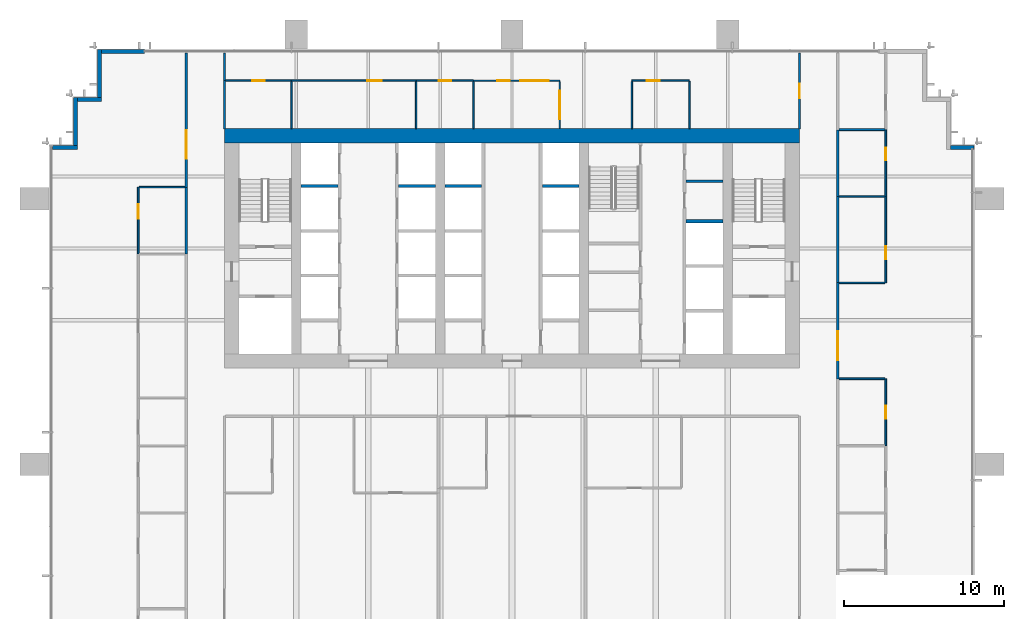
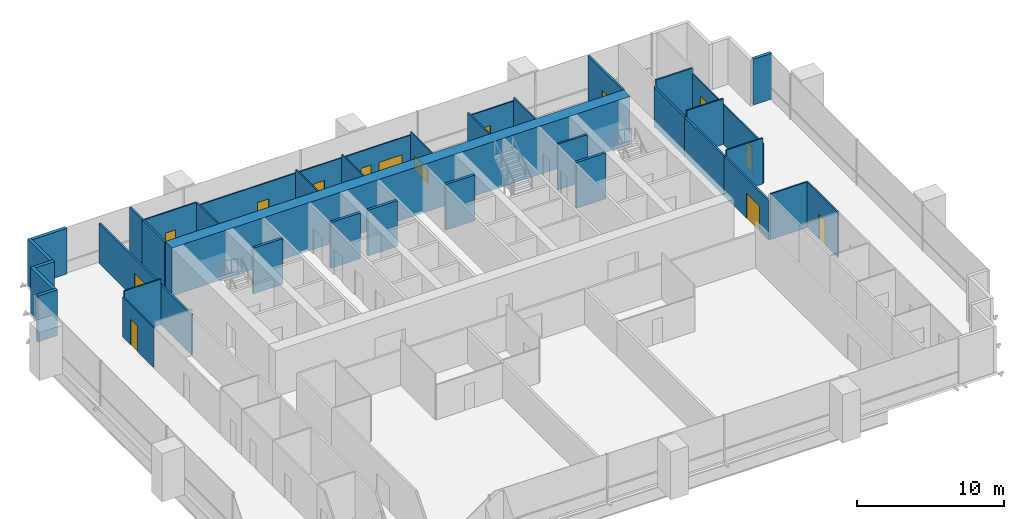
# One storey, part 13 of 15: 41 walls, 12 doors, 2 windows, 14 openings.
"""IFC4 building model written with IfcOpenShell, lengths in metres."""

from ifc_helpers import new_model, si_unit, direction, frame, frame_2d, origin, place, context, subcontext, project, spatial, rectangle, extrude, material, layer, layer_set, type_object, element, fill, save


model = new_model("IFC4")

# Units and contexts
model_context = context("Model", 3, precision=1e-05, world=origin(), true_north=direction((0.0, 1.0)))
body_context = subcontext(model_context, "Body", "Model", "MODEL_VIEW")
ifc_project = project(units=[si_unit("LENGTHUNIT", "METRE"), si_unit("AREAUNIT", "SQUARE_METRE"), si_unit("VOLUMEUNIT", "CUBIC_METRE"), si_unit("PLANEANGLEUNIT", "RADIAN"), si_unit("MASSUNIT", "GRAM", prefix="KILO")], contexts=[model_context])

# Site, building, storey
site_placement = place(None, origin())
site = spatial("IfcSite", under=ifc_project, at=site_placement, CompositionType="ELEMENT")
building_placement = place(site_placement, origin())
building = spatial("IfcBuilding", under=site, at=building_placement, Name="Rattan Terrace Tower", CompositionType="ELEMENT")
storey_placement = place(building_placement, frame((0.0, 0.0, 142.10009765625)))
storey = spatial("IfcBuildingStorey", under=building, at=storey_placement, Name="L32", CompositionType="ELEMENT", Elevation=142.10009765625)

# Walls
ifc_material_1 = material(Name="Gypsum board partition")
ifc_layer_1 = layer(ifc_material_1, 0.14990234375)
ifc_layer_set_1 = layer_set([ifc_layer_1], Name="Core partition 150")
wall_type_1 = type_object("IfcWallType", Name="Core partition 150", PredefinedType="PARTITIONING", material=ifc_layer_set_1)
wall_1_placement = place(storey_placement, frame((10.89990234375, 4.199951171875, 0.0), z_axis=(0.0, 0.0, 1.0), x_axis=(1.0, 0.0, 0.0)))
element("IfcWall", 1, at=wall_1_placement, inside=storey, type_object=wall_type_1, Name="Riser room wall", PredefinedType="PARTITIONING", context=body_context, shape_type="SweptSolid", body=[
    extrude(rectangle(XDim=2.300048828125, YDim=0.14990234375, at=frame_2d((1.14990234375, 0.0))), origin(), (0.0, 0.0, 1.0), 3.7998046875),
])
ifc_material_2 = material(Name="Concrete C60/75", Category="concrete")
ifc_layer_2 = layer(ifc_material_2, 0.89990234375)
ifc_layer_set_2 = layer_set([ifc_layer_2], Name="Core ring wall 900 C60/75")
wall_type_2 = type_object("IfcWallType", Name="Core ring wall 900 C60/75", PredefinedType="SHEAR", material=ifc_layer_set_2)
wall_2_placement = place(storey_placement, frame((-18.0, 7.050048828125, -0.2001953125), z_axis=(0.0, 0.0, 1.0), x_axis=(1.0, 0.0, 0.0)))
element("IfcWall", 2, at=wall_2_placement, inside=storey, type_object=wall_type_2, Name="Rear core wall north", PredefinedType="SHEAR", context=body_context, shape_type="SweptSolid", body=[
    extrude(rectangle(XDim=36.0, YDim=0.89990234375, at=frame_2d((18.0, 0.0))), origin(), (0.0, 0.0, 1.0), 4.0),
])
ifc_material_3 = material(Name="Insulated aluminium-clad stud wall", Category="aluminium")
ifc_layer_3 = layer(ifc_material_3, 0.25)
ifc_layer_set_3 = layer_set([ifc_layer_3], Name="Facade Riser Wall 250")
wall_type_3 = type_object("IfcWallType", Name="Facade Riser Wall 250", PredefinedType="SOLIDWALL", material=ifc_layer_set_3)
wall_3_placement = place(storey_placement, frame((28.909912109375, 6.330078125, 0.0), z_axis=(0.0, 0.0, 1.0), x_axis=(-1.0, 0.0, 0.0)))
element("IfcWall", 3, at=wall_3_placement, inside=storey, type_object=wall_type_3, Name="Riser wall L32-6", PredefinedType="SOLIDWALL", context=body_context, shape_type="SweptSolid", body=[
    extrude(rectangle(XDim=1.454833984375, YDim=0.25, at=frame_2d((0.7275390625, 0.0))), origin(), (0.0, 0.0, 1.0), 3.7998046875),
])
wall_4_placement = place(storey_placement, frame((-23.0, 12.330078125, 0.0), z_axis=(0.0, 0.0, 1.0), x_axis=(-1.0, 0.0, 0.0)))
element("IfcWall", 4, at=wall_4_placement, inside=storey, type_object=wall_type_3, Name="Riser wall L32-11", PredefinedType="SOLIDWALL", context=body_context, shape_type="SweptSolid", body=[
    extrude(rectangle(XDim=2.705078125, YDim=0.25, at=frame_2d((1.3525390625, 0.0))), origin(), (0.0, 0.0, 1.0), 3.7998046875),
])
wall_5_placement = place(storey_placement, frame((-25.830078125, 12.455078125, 0.0), z_axis=(0.0, 0.0, 1.0), x_axis=(0.0, -1.0, 0.0)))
element("IfcWall", 5, at=wall_5_placement, inside=storey, type_object=wall_type_3, Name="Riser wall L32-12", PredefinedType="SOLIDWALL", context=body_context, shape_type="SweptSolid", body=[
    extrude(rectangle(XDim=3.0, YDim=0.25, at=frame_2d((1.5, 0.0))), origin(), (0.0, 0.0, 1.0), 3.7998046875),
])
wall_6_placement = place(storey_placement, frame((-25.705078125, 9.330078125, 0.0), z_axis=(0.0, 0.0, 1.0), x_axis=(-1.0, 0.0, 0.0)))
element("IfcWall", 6, at=wall_6_placement, inside=storey, type_object=wall_type_3, Name="Riser wall L32-13", PredefinedType="SOLIDWALL", context=body_context, shape_type="SweptSolid", body=[
    extrude(rectangle(XDim=1.5, YDim=0.25, at=frame_2d((0.75, 0.0))), origin(), (0.0, 0.0, 1.0), 3.7998046875),
])
wall_7_placement = place(storey_placement, frame((-27.330078125, 9.455078125, 0.0), z_axis=(0.0, 0.0, 1.0), x_axis=(0.0, -1.0, 0.0)))
element("IfcWall", 7, at=wall_7_placement, inside=storey, type_object=wall_type_3, Name="Riser wall L32-14", PredefinedType="SOLIDWALL", context=body_context, shape_type="SweptSolid", body=[
    extrude(rectangle(XDim=3.0, YDim=0.25, at=frame_2d((1.5, 0.0))), origin(), (0.0, 0.0, 1.0), 3.7998046875),
])
wall_8_placement = place(storey_placement, frame((-27.205078125, 6.330078125, 0.0), z_axis=(0.0, 0.0, 1.0), x_axis=(-1.0, 0.0, 0.0)))
element("IfcWall", 8, at=wall_8_placement, inside=storey, type_object=wall_type_3, Name="Riser wall L32-15", PredefinedType="SOLIDWALL", context=body_context, shape_type="SweptSolid", body=[
    extrude(rectangle(XDim=1.544921875, YDim=0.25, at=frame_2d((0.7724609375, 0.0))), origin(), (0.0, 0.0, 1.0), 3.7998046875),
])

# Wall, opening, door
ifc_material_4 = material(Name="Gypsum board partition on steel studs", Category="steel")
ifc_layer_4 = layer(ifc_material_4, 0.10009765625)
ifc_layer_set_4 = layer_set([ifc_layer_4], Name="Floors Partition 100")
wall_type_4 = type_object("IfcWallType", Name="Floors Partition 100", PredefinedType="PARTITIONING", material=ifc_layer_set_4)
wall_9_placement = place(storey_placement, frame((-23.39990234375, 3.840087890625, 0.0), z_axis=(0.0, 0.0, 1.0), x_axis=(0.0, -1.0, 0.0)))
wall_9 = element("IfcWall", 9, at=wall_9_placement, inside=storey, type_object=wall_type_4, Name="pt-L32-037", PredefinedType="PARTITIONING", context=body_context, shape_type="SweptSolid", body=[
    extrude(rectangle(XDim=4.18017578125, YDim=0.10009765625, at=frame_2d((2.090087890625, 0.0))), origin(), (0.0, 0.0, 1.0), 3.2998046875),
])
opening_1_placement = place(wall_9_placement, frame((1.083984375, 0.0, 0.0)))
opening_1 = element("IfcOpeningElement", 10, at=opening_1_placement, cuts=wall_9, Name="Opening L32-D107", PredefinedType="OPENING", context=body_context, shape_type="SweptSolid", body=[
    extrude(rectangle(XDim=0.89990234375, YDim=2.10009765625, at=frame_2d((0.449951171875, 1.050048828125))), frame((0.0, 0.060546875, 0.0), z_axis=(0.0, -1.0, 0.0), x_axis=(1.0, 0.0, 0.0)), (0.0, 0.0, 1.0), 0.12109375),
])
ifc_material_5 = material(Name="Solid core timber door, painted", Category="wood")
door_type_1 = type_object("IfcDoorType", Name="Floors Door 900x2100", OperationType="NOTDEFINED", PredefinedType="DOOR", material=ifc_material_5)
door_1_placement = place(opening_1_placement, origin())
door_1 = element("IfcDoor", 11, at=door_1_placement, inside=storey, type_object=door_type_1, Name="d-L32-107", OperationType="SINGLE_SWING_LEFT", OverallHeight=2.10009765625, OverallWidth=0.89990234375, PredefinedType="DOOR", context=body_context, shape_type="SweptSolid", body=[
    extrude(rectangle(XDim=0.89990234375, YDim=2.10009765625, at=frame_2d((0.449951171875, 1.050048828125))), frame((0.0, 0.02490234375, 0.0), z_axis=(0.0, -1.0, 0.0), x_axis=(1.0, 0.0, 0.0)), (0.0, 0.0, 1.0), 0.050048828125),
])
fill(opening_1, door_1)

# Walls
for number, where, z_axis, x_axis, name in (
    (12, (-20.47509765625, 3.840087890625, 0.0), (0.0, 0.0, 1.0), (-1.0, 0.0, 0.0), "pt-L32-038"),
    (13, (23.35009765625, -8.159912109375, 0.0), (0.0, 0.0, 1.0), (-1.0, 0.0, 0.0), "pt-L32-049"),
):
    element("IfcWall", number, at=place(storey_placement, frame(where, z_axis=z_axis, x_axis=x_axis)), inside=storey, type_object=wall_type_4, Name=name, PredefinedType="PARTITIONING", context=body_context, shape_type="SweptSolid", body=[
        extrude(rectangle(XDim=2.875, YDim=0.10009765625, at=frame_2d((1.4375, 0.0))), origin(), (0.0, 0.0, 1.0), 3.7998046875),
    ])

# Wall, opening, door
wall_10_placement = place(storey_placement, frame((23.39990234375, -12.340087890625, 0.0), z_axis=(0.0, 0.0, 1.0), x_axis=(0.0, 1.0, 0.0)))
wall_10 = element("IfcWall", 14, at=wall_10_placement, inside=storey, type_object=wall_type_4, Name="pt-L32-050", PredefinedType="PARTITIONING", context=body_context, shape_type="SweptSolid", body=[
    extrude(rectangle(XDim=4.18017578125, YDim=0.10009765625, at=frame_2d((2.090087890625, 0.0))), origin(), (0.0, 0.0, 1.0), 3.7998046875),
])
opening_2_placement = place(wall_10_placement, frame((1.68994140625, 0.0, 0.0)))
opening_2 = element("IfcOpeningElement", 15, at=opening_2_placement, cuts=wall_10, Name="Opening L32-D113", PredefinedType="OPENING", context=body_context, shape_type="SweptSolid", body=[
    extrude(rectangle(XDim=0.800048828125, YDim=2.10009765625, at=frame_2d((0.39990234375, 1.050048828125))), frame((0.0, 0.060546875, 0.0), z_axis=(0.0, -1.0, 0.0), x_axis=(1.0, 0.0, 0.0)), (0.0, 0.0, 1.0), 0.12109375),
])
ifc_material_6 = material(Name="Solid core timber door, painted", Category="wood")
door_type_2 = type_object("IfcDoorType", Name="Floors Store Door 800x2100", OperationType="NOTDEFINED", PredefinedType="DOOR", material=ifc_material_6)
door_2_placement = place(opening_2_placement, origin())
door_2 = element("IfcDoor", 16, at=door_2_placement, inside=storey, type_object=door_type_2, Name="d-L32-113", OperationType="SINGLE_SWING_RIGHT", OverallHeight=2.10009765625, OverallWidth=0.800048828125, PredefinedType="DOOR", context=body_context, shape_type="SweptSolid", body=[
    extrude(rectangle(XDim=0.800048828125, YDim=2.10009765625, at=frame_2d((0.39990234375, 1.050048828125))), frame((0.0, 0.02490234375, 0.0), z_axis=(0.0, -1.0, 0.0), x_axis=(1.0, 0.0, 0.0)), (0.0, 0.0, 1.0), 0.050048828125),
])
fill(opening_2, door_2)

# Wall
wall_11_placement = place(storey_placement, frame((20.47509765625, -2.159912109375, 0.0), z_axis=(0.0, 0.0, 1.0), x_axis=(1.0, 0.0, 0.0)))
element("IfcWall", 17, at=wall_11_placement, inside=storey, type_object=wall_type_4, Name="pt-L32-051", PredefinedType="PARTITIONING", context=body_context, shape_type="SweptSolid", body=[
    extrude(rectangle(XDim=2.875, YDim=0.10009765625, at=frame_2d((1.4375, 0.0))), origin(), (0.0, 0.0, 1.0), 3.7998046875),
])

# Wall, opening, door
wall_12_placement = place(storey_placement, frame((23.39990234375, -2.159912109375, 0.0), z_axis=(0.0, 0.0, 1.0), x_axis=(0.0, 1.0, 0.0)))
wall_12 = element("IfcWall", 18, at=wall_12_placement, inside=storey, type_object=wall_type_4, Name="pt-L32-052", PredefinedType="PARTITIONING", context=body_context, shape_type="SweptSolid", body=[
    extrude(rectangle(XDim=5.419921875, YDim=0.10009765625, at=frame_2d((2.7099609375, 0.0))), origin(), (0.0, 0.0, 1.0), 3.2998046875),
])
opening_3_placement = place(wall_12_placement, frame((1.486083984375, 0.0, 0.0)))
opening_3 = element("IfcOpeningElement", 19, at=opening_3_placement, cuts=wall_12, Name="Opening L32-D114", PredefinedType="OPENING", context=body_context, shape_type="SweptSolid", body=[
    extrude(rectangle(XDim=0.800048828125, YDim=2.10009765625, at=frame_2d((0.39990234375, 1.050048828125))), frame((0.0, 0.060546875, 0.0), z_axis=(0.0, -1.0, 0.0), x_axis=(1.0, 0.0, 0.0)), (0.0, 0.0, 1.0), 0.12109375),
])
door_3_placement = place(opening_3_placement, origin())
door_3 = element("IfcDoor", 20, at=door_3_placement, inside=storey, type_object=door_type_2, Name="d-L32-114", OperationType="SINGLE_SWING_LEFT", OverallHeight=2.10009765625, OverallWidth=0.800048828125, PredefinedType="DOOR", context=body_context, shape_type="SweptSolid", body=[
    extrude(rectangle(XDim=0.800048828125, YDim=2.10009765625, at=frame_2d((0.39990234375, 1.050048828125))), frame((0.0, 0.02490234375, 0.0), z_axis=(0.0, -1.0, 0.0), x_axis=(1.0, 0.0, 0.0)), (0.0, 0.0, 1.0), 0.050048828125),
])
fill(opening_3, door_3)

wall_13_placement = place(storey_placement, frame((23.39990234375, 3.260009765625, 0.0), z_axis=(0.0, 0.0, 1.0), x_axis=(0.0, 1.0, 0.0)))
wall_13 = element("IfcWall", 21, at=wall_13_placement, inside=storey, type_object=wall_type_4, Name="pt-L32-053", PredefinedType="PARTITIONING", context=body_context, shape_type="SweptSolid", body=[
    extrude(rectangle(XDim=4.159912109375, YDim=0.10009765625, at=frame_2d((2.080078125, 0.0))), origin(), (0.0, 0.0, 1.0), 3.2998046875),
])
opening_4_placement = place(wall_13_placement, frame((2.251953125, 0.0, 0.0)))
opening_4 = element("IfcOpeningElement", 22, at=opening_4_placement, cuts=wall_13, Name="Opening L32-D115", PredefinedType="OPENING", context=body_context, shape_type="SweptSolid", body=[
    extrude(rectangle(XDim=0.800048828125, YDim=2.10009765625, at=frame_2d((0.39990234375, 1.050048828125))), frame((0.0, 0.060546875, 0.0), z_axis=(0.0, -1.0, 0.0), x_axis=(1.0, 0.0, 0.0)), (0.0, 0.0, 1.0), 0.12109375),
])
door_4_placement = place(opening_4_placement, origin())
door_4 = element("IfcDoor", 23, at=door_4_placement, inside=storey, type_object=door_type_2, Name="d-L32-115", OperationType="SINGLE_SWING_RIGHT", OverallHeight=2.10009765625, OverallWidth=0.800048828125, PredefinedType="DOOR", context=body_context, shape_type="SweptSolid", body=[
    extrude(rectangle(XDim=0.800048828125, YDim=2.10009765625, at=frame_2d((0.39990234375, 1.050048828125))), frame((0.0, 0.02490234375, 0.0), z_axis=(0.0, -1.0, 0.0), x_axis=(1.0, 0.0, 0.0)), (0.0, 0.0, 1.0), 0.050048828125),
])
fill(opening_4, door_4)

# Wall
wall_14_placement = place(storey_placement, frame((20.47509765625, 3.239990234375, 0.0), z_axis=(0.0, 0.0, 1.0), x_axis=(1.0, 0.0, 0.0)))
element("IfcWall", 24, at=wall_14_placement, inside=storey, type_object=wall_type_4, Name="pt-L32-059", PredefinedType="PARTITIONING", context=body_context, shape_type="SweptSolid", body=[
    extrude(rectangle(XDim=2.875, YDim=0.10009765625, at=frame_2d((1.4375, 0.0))), origin(), (0.0, 0.0, 1.0), 3.7998046875),
])

# Wall, opening, door
wall_15_placement = place(storey_placement, frame((-13.820068359375, 10.5, 0.0), z_axis=(0.0, 0.0, 1.0), x_axis=(-1.0, 0.0, 0.0)))
wall_15 = element("IfcWall", 25, at=wall_15_placement, inside=storey, type_object=wall_type_4, Name="pt-L32-061", PredefinedType="PARTITIONING", context=body_context, shape_type="SweptSolid", body=[
    extrude(rectangle(XDim=4.10498046875, YDim=0.10009765625, at=frame_2d((2.052490234375, 0.0))), origin(), (0.0, 0.0, 1.0), 3.7998046875),
])
opening_5_placement = place(wall_15_placement, frame((1.653076171875, 0.0, 0.0)))
opening_5 = element("IfcOpeningElement", 26, at=opening_5_placement, cuts=wall_15, Name="Opening L32-D118", PredefinedType="OPENING", context=body_context, shape_type="SweptSolid", body=[
    extrude(rectangle(XDim=0.800048828125, YDim=2.10009765625, at=frame_2d((0.39990234375, 1.050048828125))), frame((0.0, 0.060546875, 0.0), z_axis=(0.0, -1.0, 0.0), x_axis=(1.0, 0.0, 0.0)), (0.0, 0.0, 1.0), 0.12109375),
])
door_5_placement = place(opening_5_placement, origin())
door_5 = element("IfcDoor", 27, at=door_5_placement, inside=storey, type_object=door_type_2, Name="d-L32-118", OperationType="SINGLE_SWING_LEFT", OverallHeight=2.10009765625, OverallWidth=0.800048828125, PredefinedType="DOOR", context=body_context, shape_type="SweptSolid", body=[
    extrude(rectangle(XDim=0.800048828125, YDim=2.10009765625, at=frame_2d((0.39990234375, 1.050048828125))), frame((0.0, 0.02490234375, 0.0), z_axis=(0.0, -1.0, 0.0), x_axis=(1.0, 0.0, 0.0)), (0.0, 0.0, 1.0), 0.050048828125),
])
fill(opening_5, door_5)

wall_16_placement = place(storey_placement, frame((-5.97998046875, 10.5, 0.0), z_axis=(0.0, 0.0, 1.0), x_axis=(-1.0, 0.0, 0.0)))
wall_16 = element("IfcWall", 28, at=wall_16_placement, inside=storey, type_object=wall_type_4, Name="pt-L32-062", PredefinedType="PARTITIONING", context=body_context, shape_type="SweptSolid", body=[
    extrude(rectangle(XDim=7.840087890625, YDim=0.10009765625, at=frame_2d((3.919921875, 0.0))), origin(), (0.0, 0.0, 1.0), 3.5),
])
opening_6_placement = place(wall_16_placement, frame((2.181884765625, 0.0, 0.0)))
opening_6 = element("IfcOpeningElement", 29, at=opening_6_placement, cuts=wall_16, Name="Opening L32-D119", PredefinedType="OPENING", context=body_context, shape_type="SweptSolid", body=[
    extrude(rectangle(XDim=0.89990234375, YDim=2.10009765625, at=frame_2d((0.449951171875, 1.050048828125))), frame((0.0, 0.060546875, 0.0), z_axis=(0.0, -1.0, 0.0), x_axis=(1.0, 0.0, 0.0)), (0.0, 0.0, 1.0), 0.12109375),
])
door_6_placement = place(opening_6_placement, origin())
door_6 = element("IfcDoor", 30, at=door_6_placement, inside=storey, type_object=door_type_1, Name="d-L32-119", OperationType="SINGLE_SWING_LEFT", OverallHeight=2.10009765625, OverallWidth=0.89990234375, PredefinedType="DOOR", context=body_context, shape_type="SweptSolid", body=[
    extrude(rectangle(XDim=0.89990234375, YDim=2.10009765625, at=frame_2d((0.449951171875, 1.050048828125))), frame((0.0, 0.02490234375, 0.0), z_axis=(0.0, -1.0, 0.0), x_axis=(1.0, 0.0, 0.0)), (0.0, 0.0, 1.0), 0.050048828125),
])
fill(opening_6, door_6)

wall_17_placement = place(storey_placement, frame((-2.419921875, 10.5, 0.0), z_axis=(0.0, 0.0, 1.0), x_axis=(-1.0, 0.0, 0.0)))
wall_17 = element("IfcWall", 31, at=wall_17_placement, inside=storey, type_object=wall_type_4, Name="pt-L32-063", PredefinedType="PARTITIONING", context=body_context, shape_type="SweptSolid", body=[
    extrude(rectangle(XDim=3.56005859375, YDim=0.10009765625, at=frame_2d((1.780029296875, 0.0))), origin(), (0.0, 0.0, 1.0), 3.5),
])
opening_7_placement = place(wall_17_placement, frame((1.3798828125, 0.0, 0.0)))
opening_7 = element("IfcOpeningElement", 32, at=opening_7_placement, cuts=wall_17, Name="Opening L32-D120", PredefinedType="OPENING", context=body_context, shape_type="SweptSolid", body=[
    extrude(rectangle(XDim=0.800048828125, YDim=2.10009765625, at=frame_2d((0.39990234375, 1.050048828125))), frame((0.0, 0.060546875, 0.0), z_axis=(0.0, -1.0, 0.0), x_axis=(1.0, 0.0, 0.0)), (0.0, 0.0, 1.0), 0.12109375),
])
door_7_placement = place(opening_7_placement, origin())
door_7 = element("IfcDoor", 33, at=door_7_placement, inside=storey, type_object=door_type_2, Name="d-L32-120", OperationType="SINGLE_SWING_LEFT", OverallHeight=2.10009765625, OverallWidth=0.800048828125, PredefinedType="DOOR", context=body_context, shape_type="SweptSolid", body=[
    extrude(rectangle(XDim=0.800048828125, YDim=2.10009765625, at=frame_2d((0.39990234375, 1.050048828125))), frame((0.0, 0.02490234375, 0.0), z_axis=(0.0, -1.0, 0.0), x_axis=(1.0, 0.0, 0.0)), (0.0, 0.0, 1.0), 0.050048828125),
])
fill(opening_7, door_7)

# Wall, openings, door, window
wall_18_placement = place(storey_placement, frame((3.0, 10.5, 0.0), z_axis=(0.0, 0.0, 1.0), x_axis=(-1.0, 0.0, 0.0)))
wall_18 = element("IfcWall", 34, at=wall_18_placement, inside=storey, type_object=wall_type_4, Name="pt-L32-064", PredefinedType="PARTITIONING", context=body_context, shape_type="SweptSolid", body=[
    extrude(rectangle(XDim=5.419921875, YDim=0.10009765625, at=frame_2d((2.7099609375, 0.0))), origin(), (0.0, 0.0, 1.0), 3.5),
])
opening_8_placement = place(wall_18_placement, frame((3.134033203125, 0.0, 0.0)))
opening_8 = element("IfcOpeningElement", 35, at=opening_8_placement, cuts=wall_18, Name="Opening L32-D121", PredefinedType="OPENING", context=body_context, shape_type="SweptSolid", body=[
    extrude(rectangle(XDim=0.800048828125, YDim=2.10009765625, at=frame_2d((0.39990234375, 1.050048828125))), frame((0.0, 0.060546875, 0.0), z_axis=(0.0, -1.0, 0.0), x_axis=(1.0, 0.0, 0.0)), (0.0, 0.0, 1.0), 0.12109375),
])
opening_9_placement = place(wall_18_placement, frame((0.69189453125, 0.0, 0.89990234375)))
opening_9 = element("IfcOpeningElement", 36, at=opening_9_placement, cuts=wall_18, Name="Opening L32-W104", PredefinedType="OPENING", context=body_context, shape_type="SweptSolid", body=[
    extrude(rectangle(XDim=1.800048828125, YDim=1.199951171875, at=frame_2d((0.89990234375, 0.60009765625))), frame((0.0, 0.060546875, 0.0), z_axis=(0.0, -1.0, 0.0), x_axis=(1.0, 0.0, 0.0)), (0.0, 0.0, 1.0), 0.12109375),
])
door_8_placement = place(opening_8_placement, origin())
door_8 = element("IfcDoor", 37, at=door_8_placement, inside=storey, type_object=door_type_2, Name="d-L32-121", OperationType="SINGLE_SWING_RIGHT", OverallHeight=2.10009765625, OverallWidth=0.800048828125, PredefinedType="DOOR", context=body_context, shape_type="SweptSolid", body=[
    extrude(rectangle(XDim=0.800048828125, YDim=2.10009765625, at=frame_2d((0.39990234375, 1.050048828125))), frame((0.0, 0.02490234375, 0.0), z_axis=(0.0, -1.0, 0.0), x_axis=(1.0, 0.0, 0.0)), (0.0, 0.0, 1.0), 0.050048828125),
])
fill(opening_8, door_8)
ifc_material_7 = material(Name="Glass, clear, fixed in aluminium frame", Category="aluminium")
window_type = type_object("IfcWindowType", Name="Interior Vision Window 1800x1200", PartitioningType="SINGLE_PANEL", PredefinedType="WINDOW", material=ifc_material_7)
window_1_placement = place(opening_9_placement, origin())
window_1 = element("IfcWindow", 38, at=window_1_placement, inside=storey, type_object=window_type, Name="w-L32-104", OverallHeight=1.199951171875, OverallWidth=1.800048828125, PartitioningType="SINGLE_PANEL", PredefinedType="WINDOW", context=body_context, shape_type="SweptSolid", body=[
    extrude(rectangle(XDim=1.800048828125, YDim=1.199951171875, at=frame_2d((0.89990234375, 0.60009765625))), frame((0.0, 0.030029296875, 0.0), z_axis=(0.0, -1.0, 0.0), x_axis=(1.0, 0.0, 0.0)), (0.0, 0.0, 1.0), 0.06005859375),
])
fill(opening_9, window_1)

# Wall, opening, window
wall_19_placement = place(storey_placement, frame((3.0, 7.5, 0.0), z_axis=(0.0, 0.0, 1.0), x_axis=(0.0, 1.0, 0.0)))
wall_19 = element("IfcWall", 39, at=wall_19_placement, inside=storey, type_object=wall_type_4, Name="pt-L32-065", PredefinedType="PARTITIONING", context=body_context, shape_type="SweptSolid", body=[
    extrude(rectangle(XDim=2.949951171875, YDim=0.10009765625, at=frame_2d((1.47509765625, 0.0))), origin(), (0.0, 0.0, 1.0), 3.7998046875),
])
opening_10_placement = place(wall_19_placement, frame((0.574951171875, 0.0, 0.89990234375)))
opening_10 = element("IfcOpeningElement", 40, at=opening_10_placement, cuts=wall_19, Name="Opening L32-W105", PredefinedType="OPENING", context=body_context, shape_type="SweptSolid", body=[
    extrude(rectangle(XDim=1.800048828125, YDim=1.199951171875, at=frame_2d((0.89990234375, 0.60009765625))), frame((0.0, 0.060546875, 0.0), z_axis=(0.0, -1.0, 0.0), x_axis=(1.0, 0.0, 0.0)), (0.0, 0.0, 1.0), 0.12109375),
])
window_2_placement = place(opening_10_placement, origin())
window_2 = element("IfcWindow", 41, at=window_2_placement, inside=storey, type_object=window_type, Name="w-L32-105", OverallHeight=1.199951171875, OverallWidth=1.800048828125, PartitioningType="SINGLE_PANEL", PredefinedType="WINDOW", context=body_context, shape_type="SweptSolid", body=[
    extrude(rectangle(XDim=1.800048828125, YDim=1.199951171875, at=frame_2d((0.89990234375, 0.60009765625))), frame((0.0, 0.030029296875, 0.0), z_axis=(0.0, -1.0, 0.0), x_axis=(1.0, 0.0, 0.0)), (0.0, 0.0, 1.0), 0.06005859375),
])
fill(opening_10, window_2)

# Wall
wall_20_placement = place(storey_placement, frame((7.5, 10.449951171875, 0.0), z_axis=(0.0, 0.0, 1.0), x_axis=(0.0, -1.0, 0.0)))
element("IfcWall", 42, at=wall_20_placement, inside=storey, type_object=wall_type_4, Name="pt-L32-066", PredefinedType="PARTITIONING", context=body_context, shape_type="SweptSolid", body=[
    extrude(rectangle(XDim=2.949951171875, YDim=0.10009765625, at=frame_2d((1.47509765625, 0.0))), origin(), (0.0, 0.0, 1.0), 3.7998046875),
])

# Wall, opening, door
wall_21_placement = place(storey_placement, frame((11.10009765625, 10.5, 0.0), z_axis=(0.0, 0.0, 1.0), x_axis=(-1.0, 0.0, 0.0)))
wall_21 = element("IfcWall", 43, at=wall_21_placement, inside=storey, type_object=wall_type_4, Name="pt-L32-067", PredefinedType="PARTITIONING", context=body_context, shape_type="SweptSolid", body=[
    extrude(rectangle(XDim=3.60009765625, YDim=0.10009765625, at=frame_2d((1.800048828125, 0.0))), origin(), (0.0, 0.0, 1.0), 3.5),
])
opening_11_placement = place(wall_21_placement, frame((1.860107421875, 0.0, 0.0)))
opening_11 = element("IfcOpeningElement", 44, at=opening_11_placement, cuts=wall_21, Name="Opening L32-D122", PredefinedType="OPENING", context=body_context, shape_type="SweptSolid", body=[
    extrude(rectangle(XDim=0.800048828125, YDim=2.10009765625, at=frame_2d((0.39990234375, 1.050048828125))), frame((0.0, 0.060546875, 0.0), z_axis=(0.0, -1.0, 0.0), x_axis=(1.0, 0.0, 0.0)), (0.0, 0.0, 1.0), 0.12109375),
])
door_9_placement = place(opening_11_placement, origin())
door_9 = element("IfcDoor", 45, at=door_9_placement, inside=storey, type_object=door_type_2, Name="d-L32-122", OperationType="SINGLE_SWING_RIGHT", OverallHeight=2.10009765625, OverallWidth=0.800048828125, PredefinedType="DOOR", context=body_context, shape_type="SweptSolid", body=[
    extrude(rectangle(XDim=0.800048828125, YDim=2.10009765625, at=frame_2d((0.39990234375, 1.050048828125))), frame((0.0, 0.02490234375, 0.0), z_axis=(0.0, -1.0, 0.0), x_axis=(1.0, 0.0, 0.0)), (0.0, 0.0, 1.0), 0.050048828125),
])
fill(opening_11, door_9)

# Walls
for number, where, z_axis, x_axis, name in (
    (46, (11.10009765625, 7.5, 0.0), (0.0, 0.0, 1.0), (0.0, 1.0, 0.0), "pt-L32-068"),
    (47, (-13.800048828125, 10.449951171875, 0.0), (0.0, 0.0, 1.0), (0.0, -1.0, 0.0), "pt-L32-069"),
    (48, (-6.0, 10.449951171875, 0.0), (0.0, 0.0, 1.0), (0.0, -1.0, 0.0), "pt-L32-070"),
    (49, (-2.39990234375, 10.449951171875, 0.0), (0.0, 0.0, 1.0), (0.0, -1.0, 0.0), "pt-L32-071"),
):
    element("IfcWall", number, at=place(storey_placement, frame(where, z_axis=z_axis, x_axis=x_axis)), inside=storey, type_object=wall_type_4, Name=name, PredefinedType="PARTITIONING", context=body_context, shape_type="SweptSolid", body=[
        extrude(rectangle(XDim=2.949951171875, YDim=0.10009765625, at=frame_2d((1.47509765625, 0.0))), origin(), (0.0, 0.0, 1.0), 3.7998046875),
    ])

# Wall, opening, door
ifc_material_8 = material(Name="Gypsum board partition on steel studs, fire rated", Category="steel")
ifc_layer_5 = layer(ifc_material_8, 0.14990234375)
ifc_layer_set_5 = layer_set([ifc_layer_5], Name="Floors Tenancy Wall 150")
wall_type_5 = type_object("IfcWallType", Name="Floors Tenancy Wall 150", PredefinedType="PARTITIONING", material=ifc_layer_set_5)
wall_22_placement = place(storey_placement, frame((-20.39990234375, 3.820068359375, 0.0), z_axis=(0.0, 0.0, 1.0), x_axis=(0.0, 1.0, 0.0)))
wall_22 = element("IfcWall", 50, at=wall_22_placement, inside=storey, type_object=wall_type_5, Name="pt-L32-001", PredefinedType="PARTITIONING", context=body_context, shape_type="SweptSolid", body=[
    extrude(rectangle(XDim=8.419921875, YDim=0.14990234375, at=frame_2d((4.2099609375, 0.0))), origin(), (0.0, 0.0, 1.0), 3.2998046875),
])
opening_12_placement = place(wall_22_placement, frame((1.780029296875, 0.0, 0.0)))
opening_12 = element("IfcOpeningElement", 51, at=opening_12_placement, cuts=wall_22, Name="Opening L32-D100", PredefinedType="OPENING", context=body_context, shape_type="SweptSolid", body=[
    extrude(rectangle(XDim=1.800048828125, YDim=2.10009765625, at=frame_2d((0.89990234375, 1.050048828125))), frame((0.0, 0.08544921875, 0.0), z_axis=(0.0, -1.0, 0.0), x_axis=(1.0, 0.0, 0.0)), (0.0, 0.0, 1.0), 0.1708984375),
])
ifc_material_9 = material(Name="Steel fire door set", Category="steel")
door_type_3 = type_object("IfcDoorType", Name="Floors Fire Door Pair FD30S 1800x2100", OperationType="NOTDEFINED", PredefinedType="DOOR", material=ifc_material_9)
door_10_placement = place(opening_12_placement, origin())
door_10 = element("IfcDoor", 52, at=door_10_placement, inside=storey, type_object=door_type_3, Name="d-L32-100", OperationType="DOUBLE_DOOR_SINGLE_SWING", OverallHeight=2.10009765625, OverallWidth=1.800048828125, PredefinedType="DOOR", context=body_context, shape_type="SweptSolid", body=[
    extrude(rectangle(XDim=1.800048828125, YDim=2.10009765625, at=frame_2d((0.89990234375, 1.050048828125))), frame((0.0, 0.02490234375, 0.0), z_axis=(0.0, -1.0, 0.0), x_axis=(1.0, 0.0, 0.0)), (0.0, 0.0, 1.0), 0.050048828125),
])
fill(opening_12, door_10)

# Wall
wall_23_placement = place(storey_placement, frame((-20.39990234375, -0.340087890625, 0.0), z_axis=(0.0, 0.0, 1.0), x_axis=(0.0, 1.0, 0.0)))
element("IfcWall", 53, at=wall_23_placement, inside=storey, type_object=wall_type_5, Name="pt-L32-008", PredefinedType="PARTITIONING", context=body_context, shape_type="SweptSolid", body=[
    extrude(rectangle(XDim=4.16015625, YDim=0.14990234375, at=frame_2d((2.080078125, 0.0))), origin(), (0.0, 0.0, 1.0), 3.2998046875),
])

# Wall, opening, door
wall_24_placement = place(storey_placement, frame((20.39990234375, -2.139892578125, 0.0), z_axis=(0.0, 0.0, 1.0), x_axis=(0.0, -1.0, 0.0)))
wall_24 = element("IfcWall", 54, at=wall_24_placement, inside=storey, type_object=wall_type_5, Name="pt-L32-009", PredefinedType="PARTITIONING", context=body_context, shape_type="SweptSolid", body=[
    extrude(rectangle(XDim=6.0400390625, YDim=0.14990234375, at=frame_2d((3.02001953125, 0.0))), origin(), (0.0, 0.0, 1.0), 3.2998046875),
])
opening_13_placement = place(wall_24_placement, frame((3.054931640625, 0.0, 0.0)))
opening_13 = element("IfcOpeningElement", 55, at=opening_13_placement, cuts=wall_24, Name="Opening L32-D108", PredefinedType="OPENING", context=body_context, shape_type="SweptSolid", body=[
    extrude(rectangle(XDim=1.800048828125, YDim=2.10009765625, at=frame_2d((0.89990234375, 1.050048828125))), frame((0.0, 0.08544921875, 0.0), z_axis=(0.0, -1.0, 0.0), x_axis=(1.0, 0.0, 0.0)), (0.0, 0.0, 1.0), 0.1708984375),
])
door_11_placement = place(opening_13_placement, origin())
door_11 = element("IfcDoor", 56, at=door_11_placement, inside=storey, type_object=door_type_3, Name="d-L32-108", OperationType="DOUBLE_DOOR_SINGLE_SWING", OverallHeight=2.10009765625, OverallWidth=1.800048828125, PredefinedType="DOOR", context=body_context, shape_type="SweptSolid", body=[
    extrude(rectangle(XDim=1.800048828125, YDim=2.10009765625, at=frame_2d((0.89990234375, 1.050048828125))), frame((0.0, 0.02490234375, 0.0), z_axis=(0.0, -1.0, 0.0), x_axis=(1.0, 0.0, 0.0)), (0.0, 0.0, 1.0), 0.050048828125),
])
fill(opening_13, door_11)

# Walls
wall_25_placement = place(storey_placement, frame((20.39990234375, 3.260009765625, 0.0), z_axis=(0.0, 0.0, 1.0), x_axis=(0.0, -1.0, 0.0)))
element("IfcWall", 57, at=wall_25_placement, inside=storey, type_object=wall_type_5, Name="pt-L32-015", PredefinedType="PARTITIONING", context=body_context, shape_type="SweptSolid", body=[
    extrude(rectangle(XDim=5.39990234375, YDim=0.14990234375, at=frame_2d((2.699951171875, 0.0))), origin(), (0.0, 0.0, 1.0), 3.2998046875),
])
wall_26_placement = place(storey_placement, frame((20.39990234375, 7.419921875, 0.0), z_axis=(0.0, 0.0, 1.0), x_axis=(0.0, -1.0, 0.0)))
element("IfcWall", 58, at=wall_26_placement, inside=storey, type_object=wall_type_5, Name="pt-L32-016", PredefinedType="PARTITIONING", context=body_context, shape_type="SweptSolid", body=[
    extrude(rectangle(XDim=4.159912109375, YDim=0.14990234375, at=frame_2d((2.080078125, 0.0))), origin(), (0.0, 0.0, 1.0), 3.2998046875),
])
wall_27_placement = place(storey_placement, frame((-18.0, 12.239990234375, 0.0), z_axis=(0.0, 0.0, 1.0), x_axis=(0.0, -1.0, 0.0)))
element("IfcWall", 59, at=wall_27_placement, inside=storey, type_object=wall_type_5, Name="pt-L32-018", PredefinedType="PARTITIONING", context=body_context, shape_type="SweptSolid", body=[
    extrude(rectangle(XDim=1.719970703125, YDim=0.14990234375, at=frame_2d((0.85986328125, 0.0))), origin(), (0.0, 0.0, 1.0), 3.7998046875),
])

# Wall, opening, door
wall_28_placement = place(storey_placement, frame((18.0, 7.47998046875, 0.0), z_axis=(0.0, 0.0, 1.0), x_axis=(0.0, 1.0, 0.0)))
wall_28 = element("IfcWall", 60, at=wall_28_placement, inside=storey, type_object=wall_type_5, Name="pt-L32-019", PredefinedType="PARTITIONING", context=body_context, shape_type="SweptSolid", body=[
    extrude(rectangle(XDim=4.760009765625, YDim=0.14990234375, at=frame_2d((2.3798828125, 0.0))), origin(), (0.0, 0.0, 1.0), 3.7998046875),
])
opening_14_placement = place(wall_28_placement, frame((1.929931640625, 0.0, 0.0)))
opening_14 = element("IfcOpeningElement", 61, at=opening_14_placement, cuts=wall_28, Name="Opening L32-D117", PredefinedType="OPENING", context=body_context, shape_type="SweptSolid", body=[
    extrude(rectangle(XDim=0.89990234375, YDim=2.10009765625, at=frame_2d((0.449951171875, 1.050048828125))), frame((0.0, 0.08544921875, 0.0), z_axis=(0.0, -1.0, 0.0), x_axis=(1.0, 0.0, 0.0)), (0.0, 0.0, 1.0), 0.1708984375),
])
ifc_material_10 = material(Name="Steel fire door set", Category="steel")
door_type_4 = type_object("IfcDoorType", Name="Floors Fire Door FD30S 900x2100", OperationType="NOTDEFINED", PredefinedType="DOOR", material=ifc_material_10)
door_12_placement = place(opening_14_placement, origin())
door_12 = element("IfcDoor", 62, at=door_12_placement, inside=storey, type_object=door_type_4, Name="d-L32-117", OperationType="SINGLE_SWING_RIGHT", OverallHeight=2.10009765625, OverallWidth=0.89990234375, PredefinedType="DOOR", context=body_context, shape_type="SweptSolid", body=[
    extrude(rectangle(XDim=0.89990234375, YDim=2.10009765625, at=frame_2d((0.449951171875, 1.050048828125))), frame((0.0, 0.02490234375, 0.0), z_axis=(0.0, -1.0, 0.0), x_axis=(1.0, 0.0, 0.0)), (0.0, 0.0, 1.0), 0.050048828125),
])
fill(opening_14, door_12)

# Walls
wall_29_placement = place(storey_placement, frame((-18.0, 10.52001953125, 0.0), z_axis=(0.0, 0.0, 1.0), x_axis=(0.0, -1.0, 0.0)))
element("IfcWall", 63, at=wall_29_placement, inside=storey, type_object=wall_type_5, Name="pt-L32-020", PredefinedType="PARTITIONING", context=body_context, shape_type="SweptSolid", body=[
    extrude(rectangle(XDim=3.0400390625, YDim=0.14990234375, at=frame_2d((1.52001953125, 0.0))), origin(), (0.0, 0.0, 1.0), 3.7998046875),
])
ifc_material_11 = material(Name="Moisture resistant gypsum board partition on steel studs with service cavity", Category="steel")
ifc_layer_6 = layer(ifc_material_11, 0.1201171875)
ifc_layer_set_6 = layer_set([ifc_layer_6], Name="Floors Wet Wall 120")
wall_type_6 = type_object("IfcWallType", Name="Floors Wet Wall 120", PredefinedType="PARTITIONING", material=ifc_layer_set_6)
wall_30_placement = place(storey_placement, frame((20.47509765625, 7.43994140625, 0.0), z_axis=(0.0, 0.0, 1.0), x_axis=(1.0, 0.0, 0.0)))
element("IfcWall", 64, at=wall_30_placement, inside=storey, type_object=wall_type_6, Name="pt-L32-060", PredefinedType="PARTITIONING", context=body_context, shape_type="SweptSolid", body=[
    extrude(rectangle(XDim=2.864990234375, YDim=0.1201171875, at=frame_2d((1.4326171875, 0.0))), origin(), (0.0, 0.0, 1.0), 3.7998046875),
])
ifc_material_12 = material(Name="Gypsum shaft wall system")
ifc_layer_7 = layer(ifc_material_12, 0.199951171875)
ifc_layer_set_7 = layer_set([ifc_layer_7], Name="Lift shaft wall 200")
wall_type_7 = type_object("IfcWallType", Name="Lift shaft wall 200", PredefinedType="PARTITIONING", material=ifc_layer_set_7)
for number, where, z_axis, x_axis, name in (
    (65, (-13.199951171875, 3.89990234375, 0.0), (0.0, 0.0, 1.0), (1.0, 0.0, 0.0), "Lift shaft wall"),
    (66, (-7.10009765625, 3.89990234375, 0.0), (0.0, 0.0, 1.0), (1.0, 0.0, 0.0), "Lift shaft wall"),
    (67, (-4.199951171875, 3.89990234375, 0.0), (0.0, 0.0, 1.0), (1.0, 0.0, 0.0), "Lift shaft wall"),
    (68, (1.89990234375, 3.89990234375, 0.0), (0.0, 0.0, 1.0), (1.0, 0.0, 0.0), "Lift shaft wall"),
    (69, (10.89990234375, 1.699951171875, 0.0), (0.0, 0.0, 1.0), (1.0, 0.0, 0.0), "Lift shaft wall"),
):
    element("IfcWall", number, at=place(storey_placement, frame(where, z_axis=z_axis, x_axis=x_axis)), inside=storey, type_object=wall_type_7, Name=name, PredefinedType="PARTITIONING", context=body_context, shape_type="SweptSolid", body=[
        extrude(rectangle(XDim=2.300048828125, YDim=0.199951171875, at=frame_2d((1.14990234375, 0.0))), origin(), (0.0, 0.0, 1.0), 3.7998046875),
    ])

save(model, "model.ifc")
